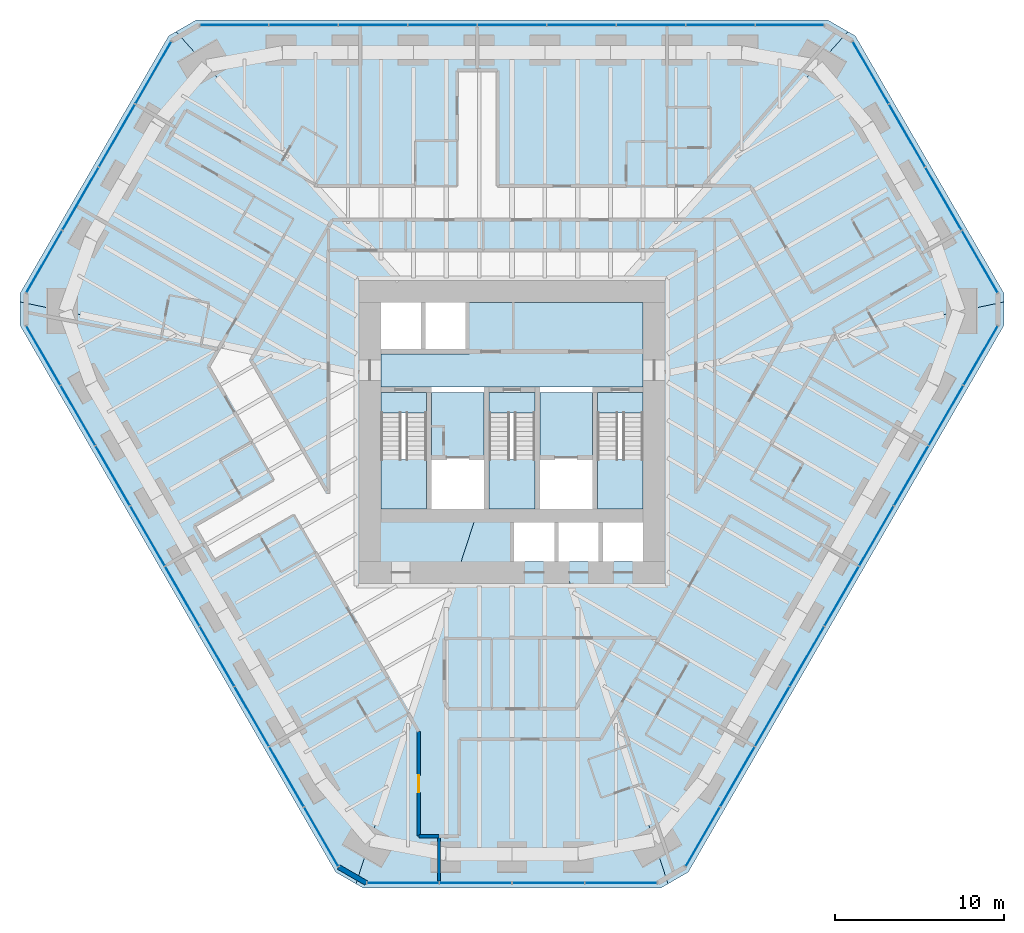
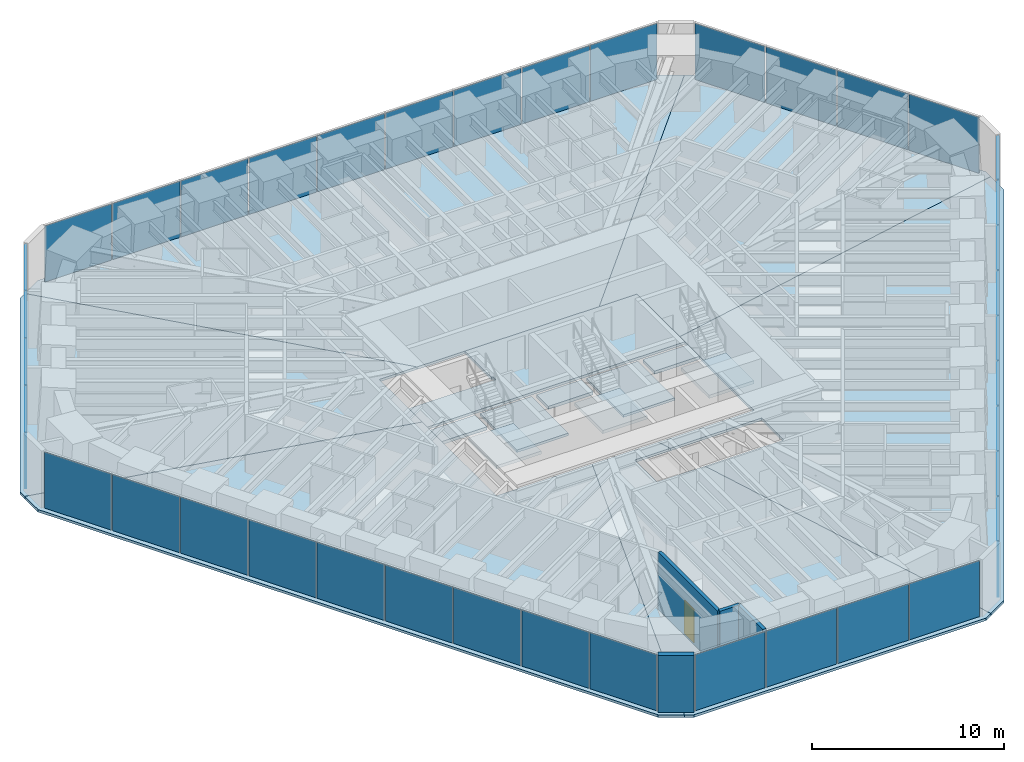
# One storey, part 10 of 18: 39 plates, 15 slabs, 4 walls, 1 door, 1 opening, 9 elements without a shape of their own.
"""IFC4 building model written with IfcOpenShell, lengths in metres."""

import ifcopenshell
import ifcopenshell.guid

model = None  # the IFC model being written
_history = None  # IfcOwnerHistory: only IFC2X3 demands one
_inside = {}  # id of a spatial element -> (the spatial element, [elements in it])
_under = {}  # id of a project, library or spatial element -> (it, [spatial elements below it])
_declared = {}  # id of a project -> (the project, [libraries it declares])
_typed = {}  # id of a type object -> (the type object, [elements of that type])
_made_of = {}  # id of a material, layer set ... -> (it, [elements and type objects made of it])


def new_model(schema):
    """Start an empty IFC model of exactly this schema.

    Asked for "IFC4X3", IfcOpenShell would pick the latest addendum, in which some entities
    have other attributes; the version numbers below select the first issue.
    IFC2X3 requires an IfcOwnerHistory on every rooted entity: one is made here for all.
    """
    global model, _history
    if schema == "IFC4X3":
        model = ifcopenshell.file(schema_version=(4, 3, 0, 0))
    else:
        model = ifcopenshell.file(schema=schema)
    _inside.clear()
    _under.clear()
    _declared.clear()
    _typed.clear()
    _made_of.clear()
    _history = None
    if model.schema == "IFC2X3":
        org = make("IfcOrganization", Name="unknown")
        user = make(
            "IfcPersonAndOrganization",
            ThePerson=make("IfcPerson", FamilyName="unknown"),
            TheOrganization=org,
        )
        app = make(
            "IfcApplication",
            ApplicationDeveloper=org,
            Version="unknown",
            ApplicationFullName="unknown",
            ApplicationIdentifier="unknown",
        )
        _history = make(
            "IfcOwnerHistory",
            OwningUser=user,
            OwningApplication=app,
            ChangeAction="ADDED",
            CreationDate=0,
        )
    return model


def make(cls, **values):
    """One entity of the class cls with the attributes given. An attribute that is None is left unset."""
    return model.create_entity(
        cls, **{name: value for name, value in values.items() if value is not None}
    )


def rooted(cls, **values):
    """An entity with a GlobalId (a new one), such as an element, a storey or a relation."""
    return make(cls, GlobalId=ifcopenshell.guid.new(), OwnerHistory=_history, **values)


def si_unit(unit_type, name, prefix=None):
    """IfcSIUnit, for example si_unit("LENGTHUNIT", "METRE", prefix="MILLI")."""
    return make("IfcSIUnit", UnitType=unit_type, Prefix=prefix, Name=name)


def assignment(units):
    """IfcUnitAssignment: the units of a project."""
    return None if units is None else make("IfcUnitAssignment", Units=units)


def point(xyz):
    """IfcCartesianPoint."""
    return None if xyz is None else make("IfcCartesianPoint", Coordinates=xyz)


def direction(xyz):
    """IfcDirection."""
    return None if xyz is None else make("IfcDirection", DirectionRatios=xyz)


def frame(location, z_axis=None, x_axis=None):
    """IfcAxis2Placement3D, a coordinate frame: its origin and axes. An axis left out is left unset."""
    return make(
        "IfcAxis2Placement3D",
        Location=point(location),
        Axis=direction(z_axis),
        RefDirection=direction(x_axis),
    )


def frame_2d(location, x_axis=None):
    """IfcAxis2Placement2D, a coordinate frame in the plane: its origin and x axis."""
    return make(
        "IfcAxis2Placement2D", Location=point(location), RefDirection=direction(x_axis)
    )


def origin():
    """The frame at (0, 0, 0) with its axes left unset."""
    return frame((0.0, 0.0, 0.0))


def origin_2d():
    """The frame at (0, 0) in the plane with its x axis left unset."""
    return frame_2d((0.0, 0.0))


def place(relative_to, where):
    """IfcLocalPlacement: puts the frame where relative to a parent placement (None: the world)."""
    return make(
        "IfcLocalPlacement", PlacementRelTo=relative_to, RelativePlacement=where
    )


def context(
    kind, dimensions, precision=None, world=None, true_north=None, identifier=None
):
    """IfcGeometricRepresentationContext, for example the 3D "Model" context."""
    return make(
        "IfcGeometricRepresentationContext",
        ContextIdentifier=identifier,
        ContextType=kind,
        CoordinateSpaceDimension=dimensions,
        Precision=precision,
        WorldCoordinateSystem=world,
        TrueNorth=true_north,
    )


def subcontext(parent, identifier, kind, view, scale=None):
    """IfcGeometricRepresentationSubContext, for example "Body" below "Model"."""
    return make(
        "IfcGeometricRepresentationSubContext",
        ContextIdentifier=identifier,
        ContextType=kind,
        ParentContext=parent,
        TargetScale=scale,
        TargetView=view,
    )


def project(units=None, contexts=None):
    """IfcProject with its units and contexts."""
    return rooted(
        "IfcProject",
        Name="project",
        RepresentationContexts=contexts,
        UnitsInContext=assignment(units),
    )


def spatial(cls, under=None, at=None, **own):
    """A site, building, storey or space (cls), placed at a placement, below another one or the project."""
    s = rooted(cls, ObjectPlacement=at, **own)
    if under is not None:
        _under.setdefault(under.id(), (under, []))[1].append(s)
    return s


def polyline(points):
    """IfcPolyline through the points."""
    return make("IfcPolyline", Points=[point(p) for p in points])


def profile(cls, at=None, kind="AREA", **sizes):
    """A parametric profile (cls). Its sizes go by their IFC names, for example OverallWidth=200.0."""
    return make(cls, ProfileType=kind, Position=at, **sizes)


def rectangle(**sizes):
    """IfcRectangleProfileDef."""
    return profile("IfcRectangleProfileDef", **sizes)


def outline(outer, holes=None, kind="AREA"):
    """IfcArbitraryClosedProfileDef: a profile drawn as a closed curve; with holes, ...WithVoids."""
    if holes is None:
        return make("IfcArbitraryClosedProfileDef", ProfileType=kind, OuterCurve=outer)
    return make(
        "IfcArbitraryProfileDefWithVoids",
        ProfileType=kind,
        OuterCurve=outer,
        InnerCurves=holes,
    )


def extrude(swept, where, along, depth):
    """IfcExtrudedAreaSolid: the profile swept, set in the frame where, extruded along a direction by depth."""
    return make(
        "IfcExtrudedAreaSolid",
        SweptArea=swept,
        Position=where,
        ExtrudedDirection=direction(along),
        Depth=depth,
    )


def shape(context_of_items, identifier, shape_type, items):
    """IfcShapeRepresentation: the items that make up one representation, for example the "Body"."""
    return make(
        "IfcShapeRepresentation",
        ContextOfItems=context_of_items,
        RepresentationIdentifier=identifier,
        RepresentationType=shape_type,
        Items=items,
    )


def material(Name=None, Category=None):
    """IfcMaterial."""
    return make("IfcMaterial", Name=Name, Category=Category)


def layer(
    of_material, thickness, ventilated=None, Name=None, Category=None, Priority=None
):
    """IfcMaterialLayer: one layer of a wall or slab, of a material (None: an air gap)."""
    return make(
        "IfcMaterialLayer",
        Material=of_material,
        LayerThickness=thickness,
        IsVentilated=ventilated,
        Name=Name,
        Category=Category,
        Priority=Priority,
    )


def layer_set(layers, Name=None):
    """IfcMaterialLayerSet."""
    return make("IfcMaterialLayerSet", MaterialLayers=layers, LayerSetName=Name)


def made_of(thing, what):
    """Note that an element or type object is made of a material, layer set ...; save() writes the relation."""
    if what is not None:
        _made_of.setdefault(what.id(), (what, []))[1].append(thing)
    return thing


def type_object(cls, material=None, **own):
    """A type object (cls), such as IfcWallType, which elements share."""
    return made_of(rooted(cls, **own), material)


def element(
    cls,
    number,
    at=None,
    inside=None,
    cuts=None,
    type_object=None,
    material=None,
    context=None,
    identifier="Body",
    shape_type=None,
    held_by="IfcProductDefinitionShape",
    body=None,
    shapes=None,
    **own,
):
    """One element of the class cls, such as IfcWall. Its Tag is "e" and its number.

    at: its placement. inside: the storey or other place that contains it. cuts: it is an
    opening in that element (IfcRelVoidsElement). A single representation is given by context,
    identifier, shape_type and body (its items); several are given by shapes. held_by: the class
    of the entity that holds the representations. save() writes the other relations.
    """
    e = rooted(cls, Tag="e%d" % number, ObjectPlacement=at, **own)
    if body is not None:
        shapes = [shape(context, identifier, shape_type, body)]
    if shapes is not None:
        e.Representation = make(held_by, Representations=shapes)
    if inside is not None:
        _inside.setdefault(inside.id(), (inside, []))[1].append(e)
    if cuts is not None:
        rooted(
            "IfcRelVoidsElement", RelatingBuildingElement=cuts, RelatedOpeningElement=e
        )
    if type_object is not None:
        _typed.setdefault(type_object.id(), (type_object, []))[1].append(e)
    return made_of(e, material)


def fill(opening, filler):
    """IfcRelFillsElement: the door or window that sits in an opening."""
    return rooted(
        "IfcRelFillsElement",
        RelatingOpeningElement=opening,
        RelatedBuildingElement=filler,
    )


def aggregate(whole, parts):
    """IfcRelAggregates: a whole, such as a stair, and the parts it consists of."""
    return rooted("IfcRelAggregates", RelatingObject=whole, RelatedObjects=parts)


def save(model, path):
    """Write the relations noted so far, then the file.

    IfcRelAggregates (storeys below a building ...), IfcRelContainedInSpatialStructure (elements
    in a storey), IfcRelDefinesByType, IfcRelAssociatesMaterial and IfcRelDeclares: one each for
    every whole, place, type object, material and project.
    """
    for whole, parts in _under.values():
        aggregate(whole, parts)
    for where, things in _inside.values():
        rooted(
            "IfcRelContainedInSpatialStructure",
            RelatedElements=things,
            RelatingStructure=where,
        )
    for kind, things in _typed.values():
        rooted("IfcRelDefinesByType", RelatedObjects=things, RelatingType=kind)
    for what, things in _made_of.values():
        rooted("IfcRelAssociatesMaterial", RelatedObjects=things, RelatingMaterial=what)
    for by, libraries in _declared.values():
        rooted("IfcRelDeclares", RelatingContext=by, RelatedDefinitions=libraries)
    model.write(path)


model = new_model("IFC4")

# Units and contexts
model_context = context("Model", 3, precision=1e-05, world=origin(), true_north=direction((0.0, 1.0)))
body_context = subcontext(model_context, "Body", "Model", "MODEL_VIEW")
ifc_project = project(units=[si_unit("LENGTHUNIT", "METRE"), si_unit("AREAUNIT", "SQUARE_METRE"), si_unit("VOLUMEUNIT", "CUBIC_METRE"), si_unit("PLANEANGLEUNIT", "RADIAN"), si_unit("MASSUNIT", "GRAM", prefix="KILO")], contexts=[model_context])

# Site, building, storey
site_placement = place(None, origin())
site = spatial("IfcSite", under=ifc_project, at=site_placement, CompositionType="ELEMENT")
building_placement = place(site_placement, origin())
building = spatial("IfcBuilding", under=site, at=building_placement, Name="Sandreach Pilgrim Tower", CompositionType="ELEMENT")
storey_placement = place(building_placement, frame((0.0, 0.0, 153.800048828125)))
storey = spatial("IfcBuildingStorey", under=building, at=storey_placement, Name="L38", CompositionType="ELEMENT", Elevation=153.800048828125)

# Curtain wall, plates
ifc_material_1 = material(Name="Aluminium framed curtain wall", Category="aluminium")
curtain_wall_type = type_object("IfcCurtainWallType", Name="Hotel tower curtain wall", PredefinedType="NOTDEFINED", material=ifc_material_1)
curtain_wall_1_placement = place(storey_placement, origin())
curtain_wall_1 = element("IfcCurtainWall", 1, at=curtain_wall_1_placement, inside=storey, type_object=curtain_wall_type, Name="CW-2 L38 N", PredefinedType="NOTDEFINED")
ifc_material_2 = material(Name="Insulating glass unit 8 heat-strengthened + 16 argon + 8 heat-strengthened", Category="glass")
ifc_layer_1 = layer(ifc_material_2, 0.031982421875)
ifc_layer_set_1 = layer_set([ifc_layer_1], Name="CW-2 panel")
plate_type = type_object("IfcPlateType", Name="CW-2 panel", PredefinedType="CURTAIN_PANEL", material=ifc_layer_set_1)
plate_1_placement = place(storey_placement, frame((-16.41162109375, 22.493896484375, 0.0), z_axis=(0.0, 0.0, 1.0), x_axis=(1.0, 0.0, 0.0)))
plate_1 = element("IfcPlate", 2, at=plate_1_placement, type_object=plate_type, Name="CW-2 panel 1", PredefinedType="CURTAIN_PANEL", context=body_context, shape_type="SweptSolid", body=[
    extrude(rectangle(XDim=4.009521484375, YDim=0.031982421875, at=origin_2d()), origin(), (0.0, 0.0, 1.0), 3.570068359375),
])
plate_2_placement = place(storey_placement, frame((-12.32080078125, 22.493896484375, 0.0), z_axis=(0.0, 0.0, 1.0), x_axis=(1.0, 0.0, 0.0)))
plate_2 = element("IfcPlate", 3, at=plate_2_placement, type_object=plate_type, Name="CW-2 panel 2", PredefinedType="CURTAIN_PANEL", context=body_context, shape_type="SweptSolid", body=[
    extrude(rectangle(XDim=4.0419921875, YDim=0.031982421875, at=origin_2d()), origin(), (0.0, 0.0, 1.0), 3.570068359375),
])
plate_3_placement = place(storey_placement, frame((-8.2138671875, 22.493896484375, 0.0), z_axis=(0.0, 0.0, 1.0), x_axis=(1.0, 0.0, 0.0)))
plate_3 = element("IfcPlate", 4, at=plate_3_placement, type_object=plate_type, Name="CW-2 panel 3", PredefinedType="CURTAIN_PANEL", context=body_context, shape_type="SweptSolid", body=[
    extrude(rectangle(XDim=4.0419921875, YDim=0.031982421875, at=origin_2d()), origin(), (0.0, 0.0, 1.0), 3.570068359375),
])
plate_4_placement = place(storey_placement, frame((-4.10693359375, 22.493896484375, 0.0), z_axis=(0.0, 0.0, 1.0), x_axis=(1.0, 0.0, 0.0)))
plate_4 = element("IfcPlate", 5, at=plate_4_placement, type_object=plate_type, Name="CW-2 panel 4", PredefinedType="CURTAIN_PANEL", context=body_context, shape_type="SweptSolid", body=[
    extrude(rectangle(XDim=4.0419921875, YDim=0.031982421875, at=origin_2d()), origin(), (0.0, 0.0, 1.0), 3.570068359375),
])
plate_5_placement = place(storey_placement, frame((0.0, 22.493896484375, 0.0), z_axis=(0.0, 0.0, 1.0), x_axis=(1.0, 0.0, 0.0)))
plate_5 = element("IfcPlate", 6, at=plate_5_placement, type_object=plate_type, Name="CW-2 panel 5", PredefinedType="CURTAIN_PANEL", context=body_context, shape_type="SweptSolid", body=[
    extrude(rectangle(XDim=4.0419921875, YDim=0.031982421875, at=origin_2d()), origin(), (0.0, 0.0, 1.0), 3.570068359375),
])
plate_6_placement = place(storey_placement, frame((4.10693359375, 22.493896484375, 0.0), z_axis=(0.0, 0.0, 1.0), x_axis=(1.0, 0.0, 0.0)))
plate_6 = element("IfcPlate", 7, at=plate_6_placement, type_object=plate_type, Name="CW-2 panel 6", PredefinedType="CURTAIN_PANEL", context=body_context, shape_type="SweptSolid", body=[
    extrude(rectangle(XDim=4.0419921875, YDim=0.031982421875, at=origin_2d()), origin(), (0.0, 0.0, 1.0), 3.570068359375),
])
plate_7_placement = place(storey_placement, frame((8.2138671875, 22.493896484375, 0.0), z_axis=(0.0, 0.0, 1.0), x_axis=(1.0, 0.0, 0.0)))
plate_7 = element("IfcPlate", 8, at=plate_7_placement, type_object=plate_type, Name="CW-2 panel 7", PredefinedType="CURTAIN_PANEL", context=body_context, shape_type="SweptSolid", body=[
    extrude(rectangle(XDim=4.0419921875, YDim=0.031982421875, at=origin_2d()), origin(), (0.0, 0.0, 1.0), 3.570068359375),
])
plate_8_placement = place(storey_placement, frame((12.32080078125, 22.493896484375, 0.0), z_axis=(0.0, 0.0, 1.0), x_axis=(1.0, 0.0, 0.0)))
plate_8 = element("IfcPlate", 9, at=plate_8_placement, type_object=plate_type, Name="CW-2 panel 8", PredefinedType="CURTAIN_PANEL", context=body_context, shape_type="SweptSolid", body=[
    extrude(rectangle(XDim=4.0419921875, YDim=0.031982421875, at=origin_2d()), origin(), (0.0, 0.0, 1.0), 3.570068359375),
])
plate_9_placement = place(storey_placement, frame((16.41162109375, 22.493896484375, 0.0), z_axis=(0.0, 0.0, 1.0), x_axis=(1.0, 0.0, 0.0)))
plate_9 = element("IfcPlate", 10, at=plate_9_placement, type_object=plate_type, Name="CW-2 panel 9", PredefinedType="CURTAIN_PANEL", context=body_context, shape_type="SweptSolid", body=[
    extrude(rectangle(XDim=4.009521484375, YDim=0.031982421875, at=origin_2d()), origin(), (0.0, 0.0, 1.0), 3.570068359375),
])
aggregate(curtain_wall_1, [plate_1, plate_2, plate_3, plate_4, plate_5, plate_6, plate_7, plate_8, plate_9])

curtain_wall_2_placement = place(storey_placement, origin())
curtain_wall_2 = element("IfcCurtainWall", 11, at=curtain_wall_2_placement, inside=storey, type_object=curtain_wall_type, Name="CW-2 L38 NE", PredefinedType="NOTDEFINED")
plate_10_placement = place(storey_placement, frame((21.194091796875, 19.67529296875, 0.0), z_axis=(0.0, 0.0, 1.0), x_axis=(0.5, -0.866025403784, 0.0)))
plate_10 = element("IfcPlate", 12, at=plate_10_placement, type_object=plate_type, Name="CW-2 panel 1", PredefinedType="CURTAIN_PANEL", context=body_context, shape_type="SweptSolid", body=[
    extrude(rectangle(XDim=4.208251953125, YDim=0.031982421875, at=origin_2d()), origin(), (0.0, 0.0, 1.0), 3.570068359375),
])
plate_11_placement = place(storey_placement, frame((23.3388671875, 15.96044921875, 0.0), z_axis=(0.0, 0.0, 1.0), x_axis=(0.5, -0.866025403784, 0.0)))
plate_11 = element("IfcPlate", 13, at=plate_11_placement, type_object=plate_type, Name="CW-2 panel 2", PredefinedType="CURTAIN_PANEL", context=body_context, shape_type="SweptSolid", body=[
    extrude(rectangle(XDim=4.24072265625, YDim=0.031982421875, at=origin_2d()), origin(), (0.0, 0.0, 1.0), 3.570068359375),
])
plate_12_placement = place(storey_placement, frame((25.49169921875, 12.231689453125, 0.0), z_axis=(0.0, 0.0, 1.0), x_axis=(0.5, -0.866025403784, 0.0)))
plate_12 = element("IfcPlate", 14, at=plate_12_placement, type_object=plate_type, Name="CW-2 panel 3", PredefinedType="CURTAIN_PANEL", context=body_context, shape_type="SweptSolid", body=[
    extrude(rectangle(XDim=4.24072265625, YDim=0.031982421875, at=origin_2d()), origin(), (0.0, 0.0, 1.0), 3.570068359375),
])
plate_13_placement = place(storey_placement, frame((27.63623046875, 8.516845703125, 0.0), z_axis=(0.0, 0.0, 1.0), x_axis=(0.5, -0.866025403784, 0.0)))
plate_13 = element("IfcPlate", 15, at=plate_13_placement, type_object=plate_type, Name="CW-2 panel 4", PredefinedType="CURTAIN_PANEL", context=body_context, shape_type="SweptSolid", body=[
    extrude(rectangle(XDim=4.208251953125, YDim=0.031982421875, at=origin_2d()), origin(), (0.0, 0.0, 1.0), 3.570068359375),
])
aggregate(curtain_wall_2, [plate_10, plate_11, plate_12, plate_13])

curtain_wall_3_placement = place(storey_placement, origin())
curtain_wall_3 = element("IfcCurtainWall", 16, at=curtain_wall_3_placement, inside=storey, type_object=curtain_wall_type, Name="CW-2 L38 SE", PredefinedType="NOTDEFINED")
plate_14_placement = place(storey_placement, frame((27.68603515625, 2.966064453125, 0.0), z_axis=(0.0, 0.0, 1.0), x_axis=(-0.5, -0.866025403784, 0.0)))
plate_14 = element("IfcPlate", 17, at=plate_14_placement, type_object=plate_type, Name="CW-2 panel 1", PredefinedType="CURTAIN_PANEL", context=body_context, shape_type="SweptSolid", body=[
    extrude(rectangle(XDim=4.009521484375, YDim=0.031982421875, at=origin_2d()), origin(), (0.0, 0.0, 1.0), 3.570068359375),
])
plate_15_placement = place(storey_placement, frame((25.640625, -0.57666015625, 0.0), z_axis=(0.0, 0.0, 1.0), x_axis=(-0.5, -0.866025403784, 0.0)))
plate_15 = element("IfcPlate", 18, at=plate_15_placement, type_object=plate_type, Name="CW-2 panel 2", PredefinedType="CURTAIN_PANEL", context=body_context, shape_type="SweptSolid", body=[
    extrude(rectangle(XDim=4.0419921875, YDim=0.031982421875, at=origin_2d()), origin(), (0.0, 0.0, 1.0), 3.570068359375),
])
plate_16_placement = place(storey_placement, frame((23.587158203125, -4.13330078125, 0.0), z_axis=(0.0, 0.0, 1.0), x_axis=(-0.5, -0.866025403784, 0.0)))
plate_16 = element("IfcPlate", 19, at=plate_16_placement, type_object=plate_type, Name="CW-2 panel 3", PredefinedType="CURTAIN_PANEL", context=body_context, shape_type="SweptSolid", body=[
    extrude(rectangle(XDim=4.0419921875, YDim=0.031982421875, at=origin_2d()), origin(), (0.0, 0.0, 1.0), 3.570068359375),
])
plate_17_placement = place(storey_placement, frame((21.53369140625, -7.690185546875, 0.0), z_axis=(0.0, 0.0, 1.0), x_axis=(-0.5, -0.866025403784, 0.0)))
plate_17 = element("IfcPlate", 20, at=plate_17_placement, type_object=plate_type, Name="CW-2 panel 4", PredefinedType="CURTAIN_PANEL", context=body_context, shape_type="SweptSolid", body=[
    extrude(rectangle(XDim=4.0419921875, YDim=0.031982421875, at=origin_2d()), origin(), (0.0, 0.0, 1.0), 3.570068359375),
])
plate_18_placement = place(storey_placement, frame((19.480224609375, -11.246826171875, 0.0), z_axis=(0.0, 0.0, 1.0), x_axis=(-0.5, -0.866025403784, 0.0)))
plate_18 = element("IfcPlate", 21, at=plate_18_placement, type_object=plate_type, Name="CW-2 panel 5", PredefinedType="CURTAIN_PANEL", context=body_context, shape_type="SweptSolid", body=[
    extrude(rectangle(XDim=4.0419921875, YDim=0.031982421875, at=origin_2d()), origin(), (0.0, 0.0, 1.0), 3.570068359375),
])
plate_19_placement = place(storey_placement, frame((17.4267578125, -14.8037109375, 0.0), z_axis=(0.0, 0.0, 1.0), x_axis=(-0.5, -0.866025403784, 0.0)))
plate_19 = element("IfcPlate", 22, at=plate_19_placement, type_object=plate_type, Name="CW-2 panel 6", PredefinedType="CURTAIN_PANEL", context=body_context, shape_type="SweptSolid", body=[
    extrude(rectangle(XDim=4.0419921875, YDim=0.031982421875, at=origin_2d()), origin(), (0.0, 0.0, 1.0), 3.570068359375),
])
plate_20_placement = place(storey_placement, frame((15.373291015625, -18.3603515625, 0.0), z_axis=(0.0, 0.0, 1.0), x_axis=(-0.5, -0.866025403784, 0.0)))
plate_20 = element("IfcPlate", 23, at=plate_20_placement, type_object=plate_type, Name="CW-2 panel 7", PredefinedType="CURTAIN_PANEL", context=body_context, shape_type="SweptSolid", body=[
    extrude(rectangle(XDim=4.0419921875, YDim=0.031982421875, at=origin_2d()), origin(), (0.0, 0.0, 1.0), 3.570068359375),
])
plate_21_placement = place(storey_placement, frame((13.31982421875, -21.917236328125, 0.0), z_axis=(0.0, 0.0, 1.0), x_axis=(-0.5, -0.866025403784, 0.0)))
plate_21 = element("IfcPlate", 24, at=plate_21_placement, type_object=plate_type, Name="CW-2 panel 8", PredefinedType="CURTAIN_PANEL", context=body_context, shape_type="SweptSolid", body=[
    extrude(rectangle(XDim=4.0419921875, YDim=0.031982421875, at=origin_2d()), origin(), (0.0, 0.0, 1.0), 3.570068359375),
])
plate_22_placement = place(storey_placement, frame((11.2744140625, -25.459716796875, 0.0), z_axis=(0.0, 0.0, 1.0), x_axis=(-0.5, -0.866025403784, 0.0)))
plate_22 = element("IfcPlate", 25, at=plate_22_placement, type_object=plate_type, Name="CW-2 panel 9", PredefinedType="CURTAIN_PANEL", context=body_context, shape_type="SweptSolid", body=[
    extrude(rectangle(XDim=4.009521484375, YDim=0.031982421875, at=origin_2d()), origin(), (0.0, 0.0, 1.0), 3.570068359375),
])
aggregate(curtain_wall_3, [plate_14, plate_15, plate_16, plate_17, plate_18, plate_19, plate_20, plate_21, plate_22])

curtain_wall_4_placement = place(storey_placement, origin())
curtain_wall_4 = element("IfcCurtainWall", 26, at=curtain_wall_4_placement, inside=storey, type_object=curtain_wall_type, Name="CW-2 L38 S", PredefinedType="NOTDEFINED")
plate_23_placement = place(storey_placement, frame((6.4423828125, -28.192138671875, 0.0), z_axis=(0.0, 0.0, 1.0), x_axis=(-1.0, 0.0, 0.0)))
plate_23 = element("IfcPlate", 27, at=plate_23_placement, type_object=plate_type, Name="CW-2 panel 1", PredefinedType="CURTAIN_PANEL", context=body_context, shape_type="SweptSolid", body=[
    extrude(rectangle(XDim=4.208251953125, YDim=0.031982421875, at=origin_2d()), origin(), (0.0, 0.0, 1.0), 3.570068359375),
])
plate_24_placement = place(storey_placement, frame((2.15283203125, -28.192138671875, 0.0), z_axis=(0.0, 0.0, 1.0), x_axis=(-1.0, 0.0, 0.0)))
plate_24 = element("IfcPlate", 28, at=plate_24_placement, type_object=plate_type, Name="CW-2 panel 2", PredefinedType="CURTAIN_PANEL", context=body_context, shape_type="SweptSolid", body=[
    extrude(rectangle(XDim=4.24072265625, YDim=0.031982421875, at=origin_2d()), origin(), (0.0, 0.0, 1.0), 3.570068359375),
])
plate_25_placement = place(storey_placement, frame((-2.15283203125, -28.192138671875, 0.0), z_axis=(0.0, 0.0, 1.0), x_axis=(-1.0, 0.0, 0.0)))
plate_25 = element("IfcPlate", 29, at=plate_25_placement, type_object=plate_type, Name="CW-2 panel 3", PredefinedType="CURTAIN_PANEL", context=body_context, shape_type="SweptSolid", body=[
    extrude(rectangle(XDim=4.24072265625, YDim=0.031982421875, at=origin_2d()), origin(), (0.0, 0.0, 1.0), 3.570068359375),
])
plate_26_placement = place(storey_placement, frame((-6.4423828125, -28.192138671875, 0.0), z_axis=(0.0, 0.0, 1.0), x_axis=(-1.0, 0.0, 0.0)))
plate_26 = element("IfcPlate", 30, at=plate_26_placement, type_object=plate_type, Name="CW-2 panel 4", PredefinedType="CURTAIN_PANEL", context=body_context, shape_type="SweptSolid", body=[
    extrude(rectangle(XDim=4.208251953125, YDim=0.031982421875, at=origin_2d()), origin(), (0.0, 0.0, 1.0), 3.570068359375),
])
aggregate(curtain_wall_4, [plate_23, plate_24, plate_25, plate_26])

curtain_wall_5_placement = place(storey_placement, origin())
curtain_wall_5 = element("IfcCurtainWall", 31, at=curtain_wall_5_placement, inside=storey, type_object=curtain_wall_type, Name="CW-2 L38 SW", PredefinedType="NOTDEFINED")
plate_27_placement = place(storey_placement, frame((-11.2744140625, -25.459716796875, 0.0), z_axis=(0.0, 0.0, 1.0), x_axis=(-0.5, 0.866025403784, 0.0)))
plate_27 = element("IfcPlate", 32, at=plate_27_placement, type_object=plate_type, Name="CW-2 panel 1", PredefinedType="CURTAIN_PANEL", context=body_context, shape_type="SweptSolid", body=[
    extrude(rectangle(XDim=4.009521484375, YDim=0.031982421875, at=origin_2d()), origin(), (0.0, 0.0, 1.0), 3.570068359375),
])
plate_28_placement = place(storey_placement, frame((-13.31982421875, -21.917236328125, 0.0), z_axis=(0.0, 0.0, 1.0), x_axis=(-0.5, 0.866025403784, 0.0)))
plate_28 = element("IfcPlate", 33, at=plate_28_placement, type_object=plate_type, Name="CW-2 panel 2", PredefinedType="CURTAIN_PANEL", context=body_context, shape_type="SweptSolid", body=[
    extrude(rectangle(XDim=4.0419921875, YDim=0.031982421875, at=origin_2d()), origin(), (0.0, 0.0, 1.0), 3.570068359375),
])
plate_29_placement = place(storey_placement, frame((-15.373291015625, -18.3603515625, 0.0), z_axis=(0.0, 0.0, 1.0), x_axis=(-0.5, 0.866025403784, 0.0)))
plate_29 = element("IfcPlate", 34, at=plate_29_placement, type_object=plate_type, Name="CW-2 panel 3", PredefinedType="CURTAIN_PANEL", context=body_context, shape_type="SweptSolid", body=[
    extrude(rectangle(XDim=4.0419921875, YDim=0.031982421875, at=origin_2d()), origin(), (0.0, 0.0, 1.0), 3.570068359375),
])
plate_30_placement = place(storey_placement, frame((-17.4267578125, -14.8037109375, 0.0), z_axis=(0.0, 0.0, 1.0), x_axis=(-0.5, 0.866025403784, 0.0)))
plate_30 = element("IfcPlate", 35, at=plate_30_placement, type_object=plate_type, Name="CW-2 panel 4", PredefinedType="CURTAIN_PANEL", context=body_context, shape_type="SweptSolid", body=[
    extrude(rectangle(XDim=4.0419921875, YDim=0.031982421875, at=origin_2d()), origin(), (0.0, 0.0, 1.0), 3.570068359375),
])
plate_31_placement = place(storey_placement, frame((-19.480224609375, -11.246826171875, 0.0), z_axis=(0.0, 0.0, 1.0), x_axis=(-0.5, 0.866025403784, 0.0)))
plate_31 = element("IfcPlate", 36, at=plate_31_placement, type_object=plate_type, Name="CW-2 panel 5", PredefinedType="CURTAIN_PANEL", context=body_context, shape_type="SweptSolid", body=[
    extrude(rectangle(XDim=4.0419921875, YDim=0.031982421875, at=origin_2d()), origin(), (0.0, 0.0, 1.0), 3.570068359375),
])
plate_32_placement = place(storey_placement, frame((-21.53369140625, -7.690185546875, 0.0), z_axis=(0.0, 0.0, 1.0), x_axis=(-0.5, 0.866025403784, 0.0)))
plate_32 = element("IfcPlate", 37, at=plate_32_placement, type_object=plate_type, Name="CW-2 panel 6", PredefinedType="CURTAIN_PANEL", context=body_context, shape_type="SweptSolid", body=[
    extrude(rectangle(XDim=4.0419921875, YDim=0.031982421875, at=origin_2d()), origin(), (0.0, 0.0, 1.0), 3.570068359375),
])
plate_33_placement = place(storey_placement, frame((-23.587158203125, -4.13330078125, 0.0), z_axis=(0.0, 0.0, 1.0), x_axis=(-0.5, 0.866025403784, 0.0)))
plate_33 = element("IfcPlate", 38, at=plate_33_placement, type_object=plate_type, Name="CW-2 panel 7", PredefinedType="CURTAIN_PANEL", context=body_context, shape_type="SweptSolid", body=[
    extrude(rectangle(XDim=4.0419921875, YDim=0.031982421875, at=origin_2d()), origin(), (0.0, 0.0, 1.0), 3.570068359375),
])
plate_34_placement = place(storey_placement, frame((-25.640625, -0.57666015625, 0.0), z_axis=(0.0, 0.0, 1.0), x_axis=(-0.5, 0.866025403784, 0.0)))
plate_34 = element("IfcPlate", 39, at=plate_34_placement, type_object=plate_type, Name="CW-2 panel 8", PredefinedType="CURTAIN_PANEL", context=body_context, shape_type="SweptSolid", body=[
    extrude(rectangle(XDim=4.0419921875, YDim=0.031982421875, at=origin_2d()), origin(), (0.0, 0.0, 1.0), 3.570068359375),
])
plate_35_placement = place(storey_placement, frame((-27.68603515625, 2.966064453125, 0.0), z_axis=(0.0, 0.0, 1.0), x_axis=(-0.5, 0.866025403784, 0.0)))
plate_35 = element("IfcPlate", 40, at=plate_35_placement, type_object=plate_type, Name="CW-2 panel 9", PredefinedType="CURTAIN_PANEL", context=body_context, shape_type="SweptSolid", body=[
    extrude(rectangle(XDim=4.009521484375, YDim=0.031982421875, at=origin_2d()), origin(), (0.0, 0.0, 1.0), 3.570068359375),
])
aggregate(curtain_wall_5, [plate_27, plate_28, plate_29, plate_30, plate_31, plate_32, plate_33, plate_34, plate_35])

curtain_wall_6_placement = place(storey_placement, origin())
curtain_wall_6 = element("IfcCurtainWall", 41, at=curtain_wall_6_placement, inside=storey, type_object=curtain_wall_type, Name="CW-2 L38 NW", PredefinedType="NOTDEFINED")
plate_36_placement = place(storey_placement, frame((-27.63623046875, 8.516845703125, 0.0), z_axis=(0.0, 0.0, 1.0), x_axis=(0.5, 0.866025403784, 0.0)))
plate_36 = element("IfcPlate", 42, at=plate_36_placement, type_object=plate_type, Name="CW-2 panel 1", PredefinedType="CURTAIN_PANEL", context=body_context, shape_type="SweptSolid", body=[
    extrude(rectangle(XDim=4.208251953125, YDim=0.031982421875, at=origin_2d()), origin(), (0.0, 0.0, 1.0), 3.570068359375),
])
plate_37_placement = place(storey_placement, frame((-25.49169921875, 12.231689453125, 0.0), z_axis=(0.0, 0.0, 1.0), x_axis=(0.5, 0.866025403784, 0.0)))
plate_37 = element("IfcPlate", 43, at=plate_37_placement, type_object=plate_type, Name="CW-2 panel 2", PredefinedType="CURTAIN_PANEL", context=body_context, shape_type="SweptSolid", body=[
    extrude(rectangle(XDim=4.24072265625, YDim=0.031982421875, at=origin_2d()), origin(), (0.0, 0.0, 1.0), 3.570068359375),
])
plate_38_placement = place(storey_placement, frame((-23.3388671875, 15.96044921875, 0.0), z_axis=(0.0, 0.0, 1.0), x_axis=(0.5, 0.866025403784, 0.0)))
plate_38 = element("IfcPlate", 44, at=plate_38_placement, type_object=plate_type, Name="CW-2 panel 3", PredefinedType="CURTAIN_PANEL", context=body_context, shape_type="SweptSolid", body=[
    extrude(rectangle(XDim=4.24072265625, YDim=0.031982421875, at=origin_2d()), origin(), (0.0, 0.0, 1.0), 3.570068359375),
])
plate_39_placement = place(storey_placement, frame((-21.194091796875, 19.67529296875, 0.0), z_axis=(0.0, 0.0, 1.0), x_axis=(0.5, 0.866025403784, 0.0)))
plate_39 = element("IfcPlate", 45, at=plate_39_placement, type_object=plate_type, Name="CW-2 panel 4", PredefinedType="CURTAIN_PANEL", context=body_context, shape_type="SweptSolid", body=[
    extrude(rectangle(XDim=4.208251953125, YDim=0.031982421875, at=origin_2d()), origin(), (0.0, 0.0, 1.0), 3.570068359375),
])
aggregate(curtain_wall_6, [plate_36, plate_37, plate_38, plate_39])

# Slabs
ifc_material_3 = material(Name="Concrete 8000 psi", Category="concrete")
ifc_layer_2 = layer(ifc_material_3, 0.159912109375)
ifc_layer_set_2 = layer_set([ifc_layer_2], Name="Composite floor slab 160")
slab_type_1 = type_object("IfcSlabType", Name="Composite floor slab 160", PredefinedType="FLOOR", material=ifc_layer_set_2)
slab_1_placement = place(storey_placement, frame((0.0, 0.0, -0.16015625)))
element("IfcSlab", 46, at=slab_1_placement, inside=storey, type_object=slab_type_1, Name="Floor slab L38 N sector", PredefinedType="FLOOR", context=body_context, shape_type="SweptSolid", body=[
    extrude(outline(polyline([(-18.654541015625, 22.793701171875), (18.654541015625, 22.793701171875), (19.848388671875, 22.1044921875), (5.477294921875, 6.10009765625), (-5.477294921875, 6.10009765625), (-19.848388671875, 22.1044921875), (-18.654541015625, 22.793701171875)])), origin(), (0.0, 0.0, 1.0), 0.16015625),
])
slab_2_placement = place(storey_placement, frame((0.0, 0.0, -0.16015625)))
element("IfcSlab", 47, at=slab_2_placement, inside=storey, type_object=slab_type_1, Name="Floor slab L38 NE sector", PredefinedType="FLOOR", context=body_context, shape_type="SweptSolid", body=[
    extrude(outline(polyline([(20.28271484375, 21.853759765625), (29.0673828125, 6.638427734375), (29.0673828125, 6.13720703125), (7.75, 1.63623046875), (7.75, 6.10009765625), (5.477294921875, 6.10009765625), (19.848388671875, 22.1044921875), (20.28271484375, 21.853759765625)])), origin(), (0.0, 0.0, 1.0), 0.16015625),
])
slab_3_placement = place(storey_placement, frame((0.0, 0.0, -0.16015625)))
element("IfcSlab", 48, at=slab_3_placement, inside=storey, type_object=slab_type_1, Name="Floor slab L38 SE sector", PredefinedType="FLOOR", context=body_context, shape_type="SweptSolid", body=[
    extrude(outline(polyline([(29.0673828125, 4.75830078125), (10.41259765625, -27.55224609375), (9.21875, -28.241455078125), (3.003173828125, -9.199951171875), (7.75, -9.199951171875), (7.75, -6.89990234375), (2.252197265625, -6.89990234375), (1.9912109375, -6.10009765625), (7.75, -6.10009765625), (7.75, 1.63623046875), (29.0673828125, 6.13720703125), (29.0673828125, 4.75830078125)])), origin(), (0.0, 0.0, 1.0), 0.16015625),
])
slab_4_placement = place(storey_placement, frame((0.0, 0.0, -0.16015625)))
element("IfcSlab", 49, at=slab_4_placement, inside=storey, type_object=slab_type_1, Name="Floor slab L38 S sector", PredefinedType="FLOOR", context=body_context, shape_type="SweptSolid", body=[
    extrude(outline(polyline([(8.78466796875, -28.4921875), (-8.78466796875, -28.4921875), (-9.21875, -28.241455078125), (-1.9912109375, -6.10009765625), (1.9912109375, -6.10009765625), (2.252197265625, -6.89990234375), (0.125, -6.89990234375), (0.125, -9.199951171875), (3.003173828125, -9.199951171875), (9.21875, -28.241455078125), (8.78466796875, -28.4921875)])), origin(), (0.0, 0.0, 1.0), 0.16015625),
])
slab_5_placement = place(storey_placement, frame((0.0, 0.0, -0.16015625)))
element("IfcSlab", 50, at=slab_5_placement, inside=storey, type_object=slab_type_1, Name="Floor slab L38 SW sector", PredefinedType="FLOOR", context=body_context, shape_type="SweptSolid", body=[
    extrude(outline(polyline([(-10.41259765625, -27.55224609375), (-29.0673828125, 4.75830078125), (-29.0673828125, 6.13720703125), (-7.75, 1.63623046875), (-7.75, -6.10009765625), (-1.9912109375, -6.10009765625), (-9.21875, -28.241455078125), (-10.41259765625, -27.55224609375)])), origin(), (0.0, 0.0, 1.0), 0.16015625),
])
slab_6_placement = place(storey_placement, frame((0.0, 0.0, -0.16015625)))
element("IfcSlab", 51, at=slab_6_placement, inside=storey, type_object=slab_type_1, Name="Floor slab L38 NW sector", PredefinedType="FLOOR", context=body_context, shape_type="SweptSolid", body=[
    extrude(outline(polyline([(-29.0673828125, 6.638427734375), (-20.28271484375, 21.853759765625), (-19.848388671875, 22.1044921875), (-5.477294921875, 6.10009765625), (-7.75, 6.10009765625), (-7.75, 1.63623046875), (-29.0673828125, 6.13720703125), (-29.0673828125, 6.638427734375)])), origin(), (0.0, 0.0, 1.0), 0.16015625),
])
slab_7_placement = place(storey_placement, frame((0.0, 0.0, -0.16015625)))
element("IfcSlab", 52, at=slab_7_placement, inside=storey, type_object=slab_type_1, Name="Core floor slab and stores L38", PredefinedType="FLOOR", context=body_context, shape_type="SweptSolid", body=[
    extrude(outline(polyline([(-7.75, 3.050048828125), (-5.375, 3.050048828125), (-5.125, 3.050048828125), (-2.5, 3.050048828125), (-2.5, 3.35009765625), (-2.60009765625, 3.35009765625), (-2.60009765625, 6.10009765625), (7.75, 6.10009765625), (7.75, 1.10009765625), (5.050048828125, 1.10009765625), (4.75, 1.10009765625), (1.64990234375, 1.10009765625), (1.35009765625, 1.10009765625), (-1.35009765625, 1.10009765625), (-1.64990234375, 1.10009765625), (-4.75, 1.10009765625), (-5.050048828125, 1.10009765625), (-7.75, 1.10009765625), (-7.75, 3.050048828125)])), origin(), (0.0, 0.0, 1.0), 0.16015625),
])
slab_8_placement = place(storey_placement, frame((0.0, 0.0, -0.16015625)))
element("IfcSlab", 53, at=slab_8_placement, inside=storey, type_object=slab_type_1, Name="Core floor slab and stores L38 2", PredefinedType="FLOOR", context=body_context, shape_type="SweptSolid", body=[
    extrude(outline(polyline([(-1.64990234375, -3.050048828125), (-4.75, -3.050048828125), (-4.75, 0.800048828125), (-1.64990234375, 0.800048828125), (-1.64990234375, -3.050048828125)])), origin(), (0.0, 0.0, 1.0), 0.16015625),
])
slab_9_placement = place(storey_placement, frame((0.0, 0.0, -0.16015625)))
element("IfcSlab", 54, at=slab_9_placement, inside=storey, type_object=slab_type_1, Name="Core floor slab and stores L38 3", PredefinedType="FLOOR", context=body_context, shape_type="SweptSolid", body=[
    extrude(outline(polyline([(4.75, -3.050048828125), (1.64990234375, -3.050048828125), (1.64990234375, 0.800048828125), (4.75, 0.800048828125), (4.75, -3.050048828125)])), origin(), (0.0, 0.0, 1.0), 0.16015625),
])

# Stair, slabs
ifc_material_4 = material(Name="Concrete 8000 psi", Category="concrete")
stair_type = type_object("IfcStairType", Name="Core exit stair", PredefinedType="HALF_TURN_STAIR", material=ifc_material_4)
stair_1_placement = place(storey_placement, origin())
stair_1 = element("IfcStair", 55, at=stair_1_placement, inside=storey, type_object=stair_type, Name="Exit stair ST1 L38", PredefinedType="HALF_TURN_STAIR")
ifc_material_5 = material(Name="Concrete 8000 psi", Category="concrete")
ifc_layer_3 = layer(ifc_material_5, 0.199951171875)
ifc_layer_set_3 = layer_set([ifc_layer_3], Name="Core stair landing 200")
slab_type_2 = type_object("IfcSlabType", Name="Core stair landing 200", PredefinedType="LANDING", material=ifc_layer_set_3)
slab_10_placement = place(storey_placement, frame((0.0, 0.0, -0.199951171875)))
slab_10 = element("IfcSlab", 56, at=slab_10_placement, type_object=slab_type_2, Name="ST1 landing 1", PredefinedType="LANDING", context=body_context, shape_type="SweptSolid", body=[
    extrude(outline(polyline([(-7.75, -0.425048828125), (-5.050048828125, -0.425048828125), (-5.050048828125, 0.800048828125), (-7.75, 0.800048828125), (-7.75, -0.425048828125)])), origin(), (0.0, 0.0, 1.0), 0.199951171875),
])
slab_11_placement = place(storey_placement, frame((0.0, 0.0, 1.699951171875)))
slab_11 = element("IfcSlab", 57, at=slab_11_placement, type_object=slab_type_2, Name="ST1 landing 2", PredefinedType="LANDING", context=body_context, shape_type="SweptSolid", body=[
    extrude(outline(polyline([(-7.75, -6.10009765625), (-5.050048828125, -6.10009765625), (-5.050048828125, -3.175048828125), (-7.75, -3.175048828125), (-7.75, -6.10009765625)])), origin(), (0.0, 0.0, 1.0), 0.199951171875),
])
aggregate(stair_1, [slab_10, slab_11])

stair_2_placement = place(storey_placement, origin())
stair_2 = element("IfcStair", 58, at=stair_2_placement, inside=storey, type_object=stair_type, Name="Exit stair ST3 L38", PredefinedType="HALF_TURN_STAIR")
slab_12_placement = place(storey_placement, frame((0.0, 0.0, -0.199951171875)))
slab_12 = element("IfcSlab", 59, at=slab_12_placement, type_object=slab_type_2, Name="ST3 landing 1", PredefinedType="LANDING", context=body_context, shape_type="SweptSolid", body=[
    extrude(outline(polyline([(-1.35009765625, -0.425048828125), (1.35009765625, -0.425048828125), (1.35009765625, 0.800048828125), (-1.35009765625, 0.800048828125), (-1.35009765625, -0.425048828125)])), origin(), (0.0, 0.0, 1.0), 0.199951171875),
])
slab_13_placement = place(storey_placement, frame((0.0, 0.0, 1.699951171875)))
slab_13 = element("IfcSlab", 60, at=slab_13_placement, type_object=slab_type_2, Name="ST3 landing 2", PredefinedType="LANDING", context=body_context, shape_type="SweptSolid", body=[
    extrude(outline(polyline([(-1.35009765625, -6.10009765625), (1.35009765625, -6.10009765625), (1.35009765625, -3.175048828125), (-1.35009765625, -3.175048828125), (-1.35009765625, -6.10009765625)])), origin(), (0.0, 0.0, 1.0), 0.199951171875),
])
aggregate(stair_2, [slab_12, slab_13])

stair_3_placement = place(storey_placement, origin())
stair_3 = element("IfcStair", 61, at=stair_3_placement, inside=storey, type_object=stair_type, Name="Exit stair ST2 L38", PredefinedType="HALF_TURN_STAIR")
slab_14_placement = place(storey_placement, frame((0.0, 0.0, -0.199951171875)))
slab_14 = element("IfcSlab", 62, at=slab_14_placement, type_object=slab_type_2, Name="ST2 landing 1", PredefinedType="LANDING", context=body_context, shape_type="SweptSolid", body=[
    extrude(outline(polyline([(5.050048828125, -0.425048828125), (7.75, -0.425048828125), (7.75, 0.800048828125), (5.050048828125, 0.800048828125), (5.050048828125, -0.425048828125)])), origin(), (0.0, 0.0, 1.0), 0.199951171875),
])
slab_15_placement = place(storey_placement, frame((0.0, 0.0, 1.699951171875)))
slab_15 = element("IfcSlab", 63, at=slab_15_placement, type_object=slab_type_2, Name="ST2 landing 2", PredefinedType="LANDING", context=body_context, shape_type="SweptSolid", body=[
    extrude(outline(polyline([(5.050048828125, -6.10009765625), (7.75, -6.10009765625), (7.75, -3.175048828125), (5.050048828125, -3.175048828125), (5.050048828125, -6.10009765625)])), origin(), (0.0, 0.0, 1.0), 0.199951171875),
])
aggregate(stair_3, [slab_14, slab_15])

# Wall, opening, door
ifc_material_6 = material(Name="Gypsum board on steel studs, two layers each side", Category="steel")
ifc_layer_4 = layer(ifc_material_6, 0.199951171875)
ifc_layer_set_4 = layer_set([ifc_layer_4], Name="Corridor wall 200")
wall_type_1 = type_object("IfcWallType", Name="Corridor wall 200", PredefinedType="PARTITIONING", material=ifc_layer_set_4)
wall_1_placement = place(storey_placement, frame((-5.510009765625, -19.25, 0.0), z_axis=(0.0, 0.0, 1.0), x_axis=(0.0, -1.0, 0.0)))
wall_1 = element("IfcWall", 64, at=wall_1_placement, inside=storey, type_object=wall_type_1, Name="Corridor wall L38-059", PredefinedType="PARTITIONING", context=body_context, shape_type="SweptSolid", body=[
    extrude(rectangle(XDim=6.179931640625, YDim=0.199951171875, at=frame_2d((3.08984375, 0.0))), origin(), (0.0, 0.0, 1.0), 3.639892578125),
])
opening_placement = place(wall_1_placement, frame((2.590087890625, 0.0, 0.0)))
opening = element("IfcOpeningElement", 65, at=opening_placement, cuts=wall_1, Name="Opening D10-11", PredefinedType="OPENING", context=body_context, shape_type="SweptSolid", body=[
    extrude(rectangle(XDim=1.0, YDim=2.1298828125, at=frame_2d((0.5, 1.06494140625))), frame((0.0, 0.10009765625, 0.0), z_axis=(0.0, -1.0, 0.0), x_axis=(1.0, 0.0, 0.0)), (0.0, 0.0, 1.0), 0.199951171875),
])
ifc_material_7 = material(Name="Steel door and frame", Category="steel")
door_type = type_object("IfcDoorType", Name="Guest room entry door", OperationType="SINGLE_SWING_LEFT", PredefinedType="DOOR", material=ifc_material_7)
door_placement = place(opening_placement, origin())
door = element("IfcDoor", 66, at=door_placement, inside=storey, type_object=door_type, Name="Door 3811", OperationType="SINGLE_SWING_LEFT", OverallHeight=2.1298828125, OverallWidth=1.0, PredefinedType="DOOR", context=body_context, shape_type="SweptSolid", body=[
    extrude(rectangle(XDim=1.0, YDim=2.1298828125, at=frame_2d((0.5, 1.06494140625))), frame((0.0, 0.02490234375, 0.0), z_axis=(0.0, -1.0, 0.0), x_axis=(1.0, 0.0, 0.0)), (0.0, 0.0, 1.0), 0.050048828125),
])
fill(opening, door)

# Walls
wall_2_placement = place(storey_placement, frame((-5.5, -25.429931640625, 0.0), z_axis=(0.0, 0.0, 1.0), x_axis=(1.0, 0.0, 0.0)))
element("IfcWall", 67, at=wall_2_placement, inside=storey, type_object=wall_type_1, Name="Corridor wall L38-060", PredefinedType="PARTITIONING", context=body_context, shape_type="SweptSolid", body=[
    extrude(rectangle(XDim=1.18994140625, YDim=0.199951171875, at=frame_2d((0.594970703125, 0.0))), origin(), (0.0, 0.0, 1.0), 3.639892578125),
])
ifc_material_8 = material(Name="Double steel stud acoustic wall, gypsum board", Category="steel")
ifc_layer_5 = layer(ifc_material_8, 0.199951171875)
ifc_layer_set_5 = layer_set([ifc_layer_5], Name="Party wall 200")
wall_type_2 = type_object("IfcWallType", Name="Party wall 200", PredefinedType="PARTITIONING", material=ifc_layer_set_5)
wall_3_placement = place(storey_placement, frame((-4.31005859375, -28.070068359375, 0.0), z_axis=(0.0, 0.0, 1.0), x_axis=(0.0, 1.0, 0.0)))
element("IfcWall", 68, at=wall_3_placement, inside=storey, type_object=wall_type_2, Name="Party wall L38-061", PredefinedType="PARTITIONING", context=body_context, shape_type="SweptSolid", body=[
    extrude(rectangle(XDim=2.630126953125, YDim=0.199951171875, at=frame_2d((1.31494140625, 0.0))), origin(), (0.0, 0.0, 1.0), 3.639892578125),
])
ifc_material_9 = material(Name="Terracotta rainscreen on concrete", Category="masonry")
ifc_layer_6 = layer(ifc_material_9, 0.300048828125)
ifc_layer_set_6 = layer_set([ifc_layer_6], Name="Terracotta chamfer pier")
wall_type_3 = type_object("IfcWallType", Name="Terracotta chamfer pier", PredefinedType="SOLIDWALL", material=ifc_layer_set_6)
wall_4_placement = place(storey_placement, frame((-8.611328125, -28.192138671875, 0.0), z_axis=(0.0, 0.0, 1.0), x_axis=(-0.866045024864, 0.499966013754, 0.0)))
element("IfcWall", 69, at=wall_4_placement, inside=storey, type_object=wall_type_3, Name="Chamfer pier L38 S", PredefinedType="SOLIDWALL", context=body_context, shape_type="SweptSolid", body=[
    extrude(rectangle(XDim=1.880126953125, YDim=0.300048828125, at=frame_2d((0.93994140625, 0.0))), origin(), (0.0, 0.0, 1.0), 3.639892578125),
])

save(model, "model.ifc")
